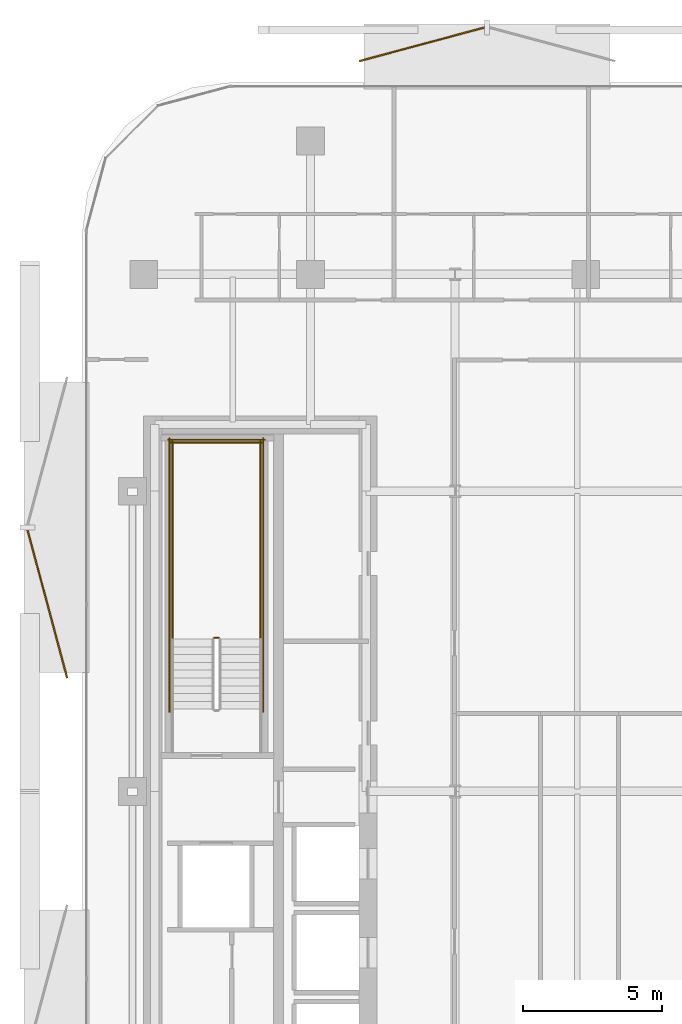
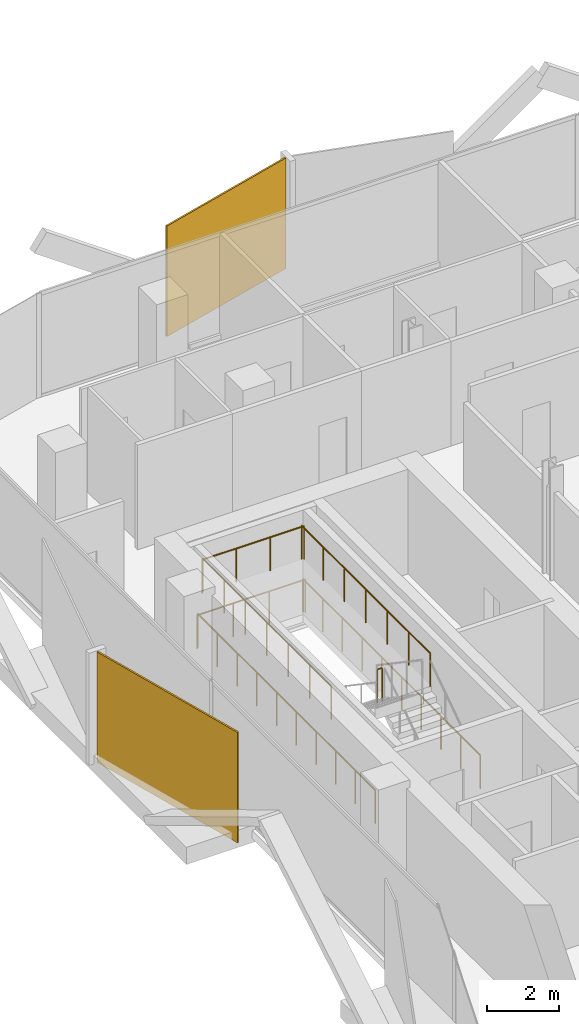
# One storey, part 16 of 17: 7 railings, 2 coverings.
"""IFC4 building model written with IfcOpenShell, lengths in metres."""

from ifc_helpers import new_model, si_unit, direction, frame, origin, origin_2d, place, context, subcontext, project, spatial, rectangle, circle, extrude, material, layer, layer_set, type_object, element, save


model = new_model("IFC4")

# Units and contexts
model_context = context("Model", 3, precision=1e-05, world=origin(), true_north=direction((0.0, 1.0)))
body_context = subcontext(model_context, "Body", "Model", "MODEL_VIEW")
ifc_project = project(units=[si_unit("LENGTHUNIT", "METRE"), si_unit("AREAUNIT", "SQUARE_METRE"), si_unit("VOLUMEUNIT", "CUBIC_METRE"), si_unit("PLANEANGLEUNIT", "RADIAN"), si_unit("MASSUNIT", "GRAM", prefix="KILO")], contexts=[model_context])

# Site, building, storey
site_placement = place(None, origin())
site = spatial("IfcSite", under=ifc_project, at=site_placement, CompositionType="ELEMENT")
building_placement = place(site_placement, origin())
building = spatial("IfcBuilding", under=site, at=building_placement, Name="Khairoan Windgate Tower", CompositionType="ELEMENT")
storey_placement = place(building_placement, frame((0.0, 0.0, 191.60009765625)))
storey = spatial("IfcBuildingStorey", under=building, at=storey_placement, Name="L44", CompositionType="ELEMENT", Elevation=191.60009765625)

# Coverings
ifc_material_1 = material(Name="Anodised Bronze Aluminium 6063-T6", Category="aluminium")
ifc_layer = layer(ifc_material_1, 0.054931640625, Name="Anodised Bronze Aluminium 6063-T6")
ifc_layer_set = layer_set([ifc_layer], Name="Anodised Bronze Aluminium 6063-T6")
covering_type = type_object("IfcCoveringType", Name="Perforated Bronze-Ceramic Folded Solar Screen Cladding BSC-1", PredefinedType="CLADDING", material=ifc_layer_set)
covering_1_placement = place(storey_placement, frame((-23.8671875, 6.74560546875, -0.10009765625), z_axis=(0.0, 0.0, 1.0), x_axis=(-0.258819045103, 0.965925826289, 0.0)))
element("IfcCovering", 1, at=covering_1_placement, inside=storey, type_object=covering_type, Name="L44 Folded Bronze Solar Screen Facet 292L", PredefinedType="CLADDING", context=body_context, shape_type="SweptSolid", body=[
    extrude(rectangle(XDim=5.507080078125, YDim=0.054931640625, at=origin_2d()), origin(), (0.0, 0.0, 1.0), 3.739990234375),
])
covering_2_placement = place(storey_placement, frame((-10.388916015625, 26.876220703125, -0.10009765625), z_axis=(0.0, 0.0, 1.0), x_axis=(0.965925826289, 0.258819045103, 0.0)))
element("IfcCovering", 2, at=covering_2_placement, inside=storey, type_object=covering_type, Name="L44 Folded Bronze Solar Screen Facet 293L", PredefinedType="CLADDING", context=body_context, shape_type="SweptSolid", body=[
    extrude(rectangle(XDim=4.666015625, YDim=0.054931640625, at=origin_2d()), origin(), (0.0, 0.0, 1.0), 3.739990234375),
])

# Railings
ifc_material_2 = material(Name="Steel S355", Category="steel")
railing_type = type_object("IfcRailingType", Name="Stairwell Safety Guardrail SGR-1150", PredefinedType="GUARDRAIL", material=ifc_material_2)
railing_1_placement = place(storey_placement, frame((-17.7099609375, 5.530029296875, 1.89990234375)))
element("IfcRailing", 3, at=railing_1_placement, inside=storey, type_object=railing_type, Name="L44 ST2 stair guard 2", PredefinedType="GUARDRAIL", context=body_context, shape_type="SweptSolid", body=[
    extrude(circle(Radius=0.02392578125, at=origin_2d()), frame((0.0, 0.0, 1.1259765625), z_axis=(-1.0, 0.0, 0.0), x_axis=(0.0, -1.0, 0.0)), (0.0, 0.0, 1.0), 0.150146484375),
    extrude(circle(Radius=0.02099609375, at=origin_2d()), origin(), (0.0, 0.0, 1.0), 1.101806640625),
    extrude(circle(Radius=0.02099609375, at=origin_2d()), frame((-0.150146484375, 0.0, 0.0)), (0.0, 0.0, 1.0), 1.101806640625),
])
for number, where, name in (
    (4, (-16.199951171875, 5.47998046875, 1.89990234375), "L44 ST2 stair guard 3"),
    (5, (-19.3701171875, 5.47998046875, 1.89990234375), "L44 ST2 stair guard 4"),
):
    element("IfcRailing", number, at=place(storey_placement, frame(where)), inside=storey, type_object=railing_type, Name=name, PredefinedType="GUARDRAIL", context=body_context, shape_type="SweptSolid", body=[
        extrude(circle(Radius=0.02392578125, at=origin_2d()), frame((0.0, 0.0, 1.1259765625), z_axis=(0.0, 1.0, 0.0), x_axis=(-1.0, 0.0, 0.0)), (0.0, 0.0, 1.0), 7.1201171875),
        extrude(circle(Radius=0.02099609375, at=origin_2d()), origin(), (0.0, 0.0, 1.0), 1.101806640625),
        extrude(circle(Radius=0.02099609375, at=origin_2d()), frame((0.0, 1.186767578125, 0.0)), (0.0, 0.0, 1.0), 1.101806640625),
        extrude(circle(Radius=0.02099609375, at=origin_2d()), frame((0.0, 2.373291015625, 0.0)), (0.0, 0.0, 1.0), 1.101806640625),
        extrude(circle(Radius=0.02099609375, at=origin_2d()), frame((0.0, 3.56005859375, 0.0)), (0.0, 0.0, 1.0), 1.101806640625),
        extrude(circle(Radius=0.02099609375, at=origin_2d()), frame((0.0, 4.746826171875, 0.0)), (0.0, 0.0, 1.0), 1.101806640625),
        extrude(circle(Radius=0.02099609375, at=origin_2d()), frame((0.0, 5.933349609375, 0.0)), (0.0, 0.0, 1.0), 1.101806640625),
        extrude(circle(Radius=0.02099609375, at=origin_2d()), frame((0.0, 7.1201171875, 0.0)), (0.0, 0.0, 1.0), 1.101806640625),
    ])
railing_2_placement = place(storey_placement, frame((-16.14990234375, 12.550048828125, 1.89990234375)))
element("IfcRailing", 6, at=railing_2_placement, inside=storey, type_object=railing_type, Name="L44 ST2 stair guard 5", PredefinedType="GUARDRAIL", context=body_context, shape_type="SweptSolid", body=[
    extrude(circle(Radius=0.02392578125, at=origin_2d()), frame((0.0, 0.0, 1.1259765625), z_axis=(-1.0, 0.0, 0.0), x_axis=(0.0, -1.0, 0.0)), (0.0, 0.0, 1.0), 3.27001953125),
    extrude(circle(Radius=0.02099609375, at=origin_2d()), origin(), (0.0, 0.0, 1.0), 1.101806640625),
    extrude(circle(Radius=0.02099609375, at=origin_2d()), frame((-1.090087890625, 0.0, 0.0)), (0.0, 0.0, 1.0), 1.101806640625),
    extrude(circle(Radius=0.02099609375, at=origin_2d()), frame((-2.179931640625, 0.0, 0.0)), (0.0, 0.0, 1.0), 1.101806640625),
    extrude(circle(Radius=0.02099609375, at=origin_2d()), frame((-3.27001953125, 0.0, 0.0)), (0.0, 0.0, 1.0), 1.101806640625),
])
for number, where, name in (
    (7, (-16.10009765625, 2.860107421875, 0.0), "L44 ST2 stair guard 10"),
    (8, (-19.469970703125, 2.860107421875, 0.0), "L44 ST2 stair guard 11"),
):
    element("IfcRailing", number, at=place(storey_placement, frame(where)), inside=storey, type_object=railing_type, Name=name, PredefinedType="GUARDRAIL", context=body_context, shape_type="SweptSolid", body=[
        extrude(circle(Radius=0.02392578125, at=origin_2d()), frame((0.0, 0.0, 1.1259765625), z_axis=(0.0, 1.0, 0.0), x_axis=(-1.0, 0.0, 0.0)), (0.0, 0.0, 1.0), 9.83984375),
        extrude(circle(Radius=0.02099609375, at=origin_2d()), origin(), (0.0, 0.0, 1.0), 1.101806640625),
        extrude(circle(Radius=0.02099609375, at=origin_2d()), frame((0.0, 1.09326171875, 0.0)), (0.0, 0.0, 1.0), 1.101806640625),
        extrude(circle(Radius=0.02099609375, at=origin_2d()), frame((0.0, 2.1865234375, 0.0)), (0.0, 0.0, 1.0), 1.101806640625),
        extrude(circle(Radius=0.02099609375, at=origin_2d()), frame((0.0, 3.280029296875, 0.0)), (0.0, 0.0, 1.0), 1.101806640625),
        extrude(circle(Radius=0.02099609375, at=origin_2d()), frame((0.0, 4.373291015625, 0.0)), (0.0, 0.0, 1.0), 1.101806640625),
        extrude(circle(Radius=0.02099609375, at=origin_2d()), frame((0.0, 5.466552734375, 0.0)), (0.0, 0.0, 1.0), 1.101806640625),
        extrude(circle(Radius=0.02099609375, at=origin_2d()), frame((0.0, 6.559814453125, 0.0)), (0.0, 0.0, 1.0), 1.101806640625),
        extrude(circle(Radius=0.02099609375, at=origin_2d()), frame((0.0, 7.6533203125, 0.0)), (0.0, 0.0, 1.0), 1.101806640625),
        extrude(circle(Radius=0.02099609375, at=origin_2d()), frame((0.0, 8.74658203125, 0.0)), (0.0, 0.0, 1.0), 1.101806640625),
        extrude(circle(Radius=0.02099609375, at=origin_2d()), frame((0.0, 9.83984375, 0.0)), (0.0, 0.0, 1.0), 1.101806640625),
    ])
railing_3_placement = place(storey_placement, frame((-16.050048828125, 12.64990234375, 0.0)))
element("IfcRailing", 9, at=railing_3_placement, inside=storey, type_object=railing_type, Name="L44 ST2 stair guard 12", PredefinedType="GUARDRAIL", context=body_context, shape_type="SweptSolid", body=[
    extrude(circle(Radius=0.02392578125, at=origin_2d()), frame((0.0, 0.0, 1.1259765625), z_axis=(-1.0, 0.0, 0.0), x_axis=(0.0, -1.0, 0.0)), (0.0, 0.0, 1.0), 3.469970703125),
    extrude(circle(Radius=0.02099609375, at=origin_2d()), origin(), (0.0, 0.0, 1.0), 1.101806640625),
    extrude(circle(Radius=0.02099609375, at=origin_2d()), frame((-1.15673828125, 0.0, 0.0)), (0.0, 0.0, 1.0), 1.101806640625),
    extrude(circle(Radius=0.02099609375, at=origin_2d()), frame((-2.313232421875, 0.0, 0.0)), (0.0, 0.0, 1.0), 1.101806640625),
    extrude(circle(Radius=0.02099609375, at=origin_2d()), frame((-3.469970703125, 0.0, 0.0)), (0.0, 0.0, 1.0), 1.101806640625),
])

save(model, "model.ifc")
